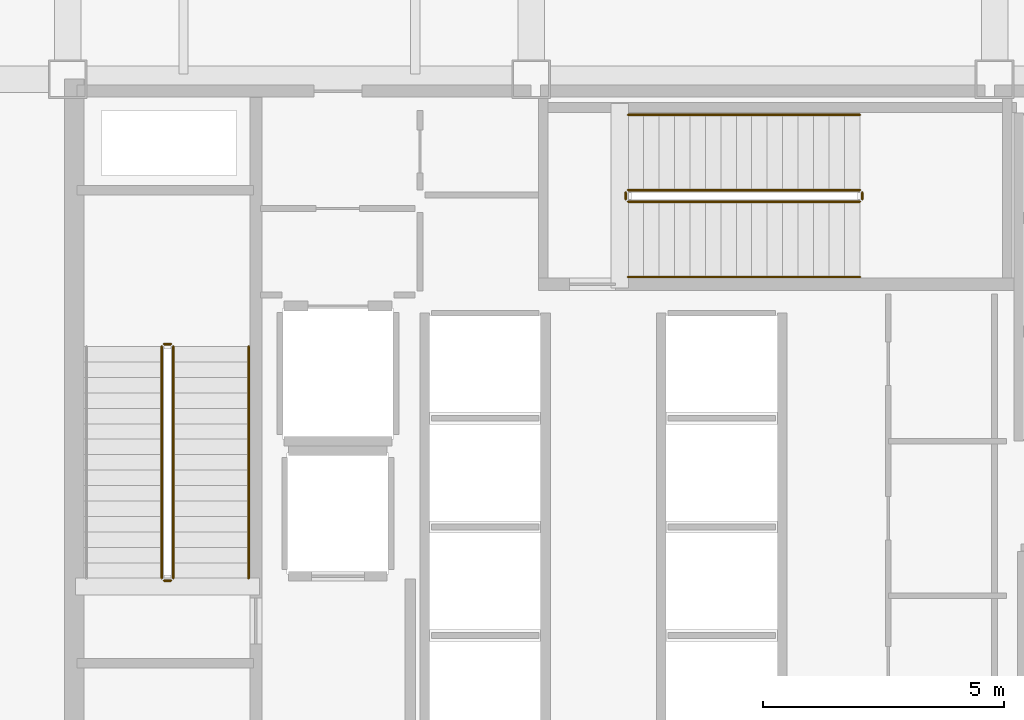
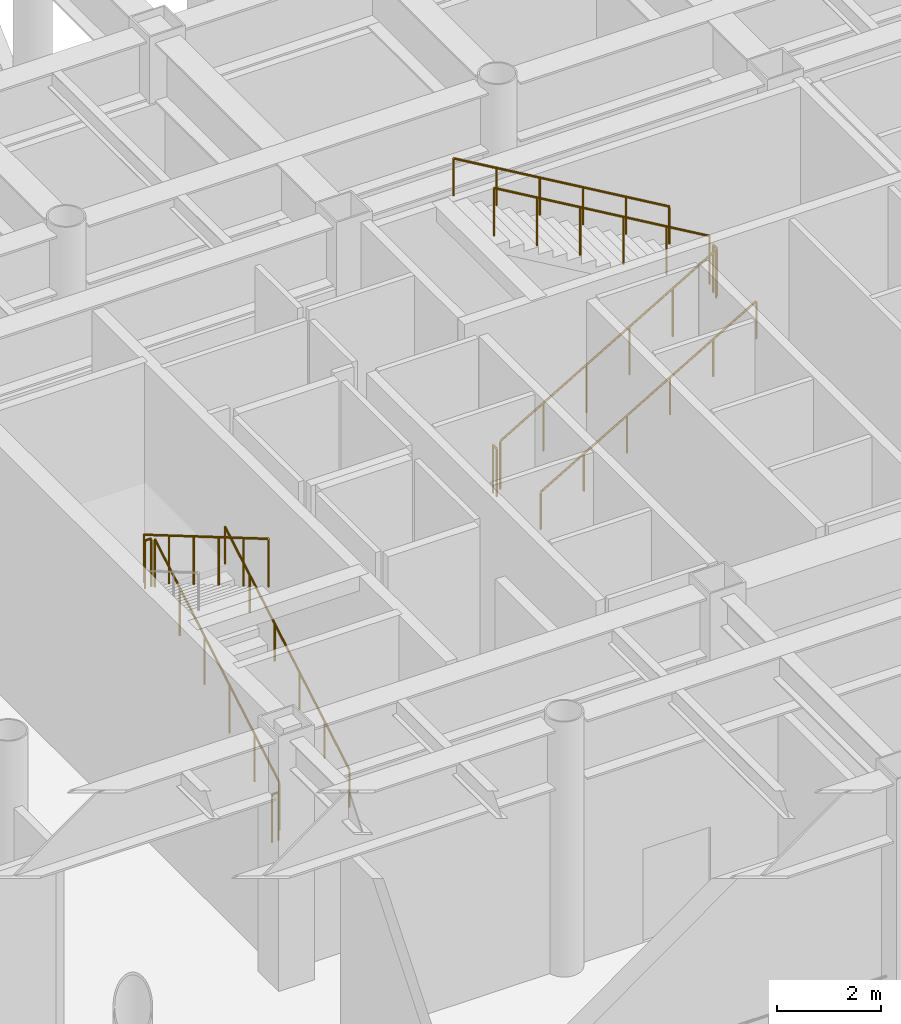
# One storey, part 17 of 19: 11 railings.
"""IFC4 building model written with IfcOpenShell, lengths in metres."""

from ifc_helpers import new_model, si_unit, direction, frame, origin, origin_2d, place, context, subcontext, project, spatial, circle, extrude, material, layer, layer_set, type_object, element, save


model = new_model("IFC4")

# Units and contexts
model_context = context("Model", 3, precision=1e-05, world=origin(), true_north=direction((0.0, 1.0)))
body_context = subcontext(model_context, "Body", "Model", "MODEL_VIEW")
ifc_project = project(units=[si_unit("LENGTHUNIT", "METRE"), si_unit("AREAUNIT", "SQUARE_METRE"), si_unit("VOLUMEUNIT", "CUBIC_METRE"), si_unit("PLANEANGLEUNIT", "RADIAN"), si_unit("MASSUNIT", "GRAM", prefix="KILO")], contexts=[model_context])

# Site, building, storey
site_placement = place(None, origin())
site = spatial("IfcSite", under=ifc_project, at=site_placement, CompositionType="ELEMENT")
building_placement = place(site_placement, origin())
building = spatial("IfcBuilding", under=site, at=building_placement, Name="Kallvorn Hotel Tower", CompositionType="ELEMENT")
storey_placement = place(building_placement, frame((0.0, 0.0, 89.199951171875)))
storey = spatial("IfcBuildingStorey", under=building, at=storey_placement, Name="L21", CompositionType="ELEMENT", Elevation=89.199951171875)

# Railings
ifc_material_1 = material(Name="Brushed stainless-steel tubular railing", Category="steel")
ifc_layer_1 = layer(ifc_material_1, 0.050048828125)
ifc_layer_set_1 = layer_set([ifc_layer_1], Name="RL_STAIR_GUARD")
railing_type_1 = type_object("IfcRailingType", Name="RL_STAIR_GUARD", PredefinedType="GUARDRAIL", material=ifc_layer_set_1)
railing_1_placement = place(storey_placement, frame((-12.2099609375, -3.139892578125, 0.1875)))
element("IfcRailing", 1, at=railing_1_placement, inside=storey, type_object=railing_type_1, Name="L21 ST1 stair guard 1", PredefinedType="GUARDRAIL", context=body_context, shape_type="SweptSolid", body=[
    extrude(circle(Radius=0.02392578125, at=origin_2d()), frame((0.0, 0.0, 1.1259765625), z_axis=(0.0, 0.862790387251, 0.505561813893), x_axis=(-1.0, 0.0, 0.0)), (0.0, 0.0, 1.0), 5.563232421875),
    extrude(circle(Radius=0.02099609375, at=origin_2d()), origin(), (0.0, 0.0, 1.0), 1.101806640625),
    extrude(circle(Radius=0.02099609375, at=origin_2d()), frame((0.0, 0.9599609375, 0.5625)), (0.0, 0.0, 1.0), 1.101806640625),
    extrude(circle(Radius=0.02099609375, at=origin_2d()), frame((0.0, 1.919921875, 1.125)), (0.0, 0.0, 1.0), 1.101806640625),
    extrude(circle(Radius=0.02099609375, at=origin_2d()), frame((0.0, 2.8798828125, 1.6875)), (0.0, 0.0, 1.0), 1.101806640625),
    extrude(circle(Radius=0.02099609375, at=origin_2d()), frame((0.0, 3.83984375, 2.25)), (0.0, 0.0, 1.0), 1.101806640625),
    extrude(circle(Radius=0.02099609375, at=origin_2d()), frame((0.0, 4.7998046875, 2.8125)), (0.0, 0.0, 1.0), 1.101806640625),
])
railing_2_placement = place(storey_placement, frame((-12.260009765625, 1.7099609375, 3.0)))
element("IfcRailing", 2, at=railing_2_placement, inside=storey, type_object=railing_type_1, Name="L21 ST1 stair guard 2", PredefinedType="GUARDRAIL", context=body_context, shape_type="SweptSolid", body=[
    extrude(circle(Radius=0.02392578125, at=origin_2d()), frame((0.0, 0.0, 1.1259765625), z_axis=(-1.0, 0.0, 0.0), x_axis=(0.0, -1.0, 0.0)), (0.0, 0.0, 1.0), 0.139892578125),
    extrude(circle(Radius=0.02099609375, at=origin_2d()), origin(), (0.0, 0.0, 1.0), 1.101806640625),
    extrude(circle(Radius=0.02099609375, at=origin_2d()), frame((-0.139892578125, 0.0, 0.0)), (0.0, 0.0, 1.0), 1.101806640625),
])
railing_3_placement = place(storey_placement, frame((-12.449951171875, 1.659912109375, 3.1875)))
element("IfcRailing", 3, at=railing_3_placement, inside=storey, type_object=railing_type_1, Name="L21 ST1 stair guard 3", PredefinedType="GUARDRAIL", context=body_context, shape_type="SweptSolid", body=[
    extrude(circle(Radius=0.02392578125, at=origin_2d()), frame((0.0, 0.0, 1.1259765625), z_axis=(0.0, -0.862790387251, 0.505561813893), x_axis=(1.0, 0.0, 0.0)), (0.0, 0.0, 1.0), 5.563232421875),
    extrude(circle(Radius=0.02099609375, at=origin_2d()), origin(), (0.0, 0.0, 1.0), 1.101806640625),
    extrude(circle(Radius=0.02099609375, at=origin_2d()), frame((0.0, -0.9599609375, 0.5625)), (0.0, 0.0, 1.0), 1.101806640625),
    extrude(circle(Radius=0.02099609375, at=origin_2d()), frame((0.0, -1.919921875, 1.125)), (0.0, 0.0, 1.0), 1.101806640625),
    extrude(circle(Radius=0.02099609375, at=origin_2d()), frame((0.0, -2.8798828125, 1.6875)), (0.0, 0.0, 1.0), 1.101806640625),
    extrude(circle(Radius=0.02099609375, at=origin_2d()), frame((0.0, -3.83984375, 2.25)), (0.0, 0.0, 1.0), 1.101806640625),
    extrude(circle(Radius=0.02099609375, at=origin_2d()), frame((0.0, -4.7998046875, 2.8125)), (0.0, 0.0, 1.0), 1.101806640625),
])
railing_4_placement = place(storey_placement, frame((-12.260009765625, -3.18994140625, 0.0)))
element("IfcRailing", 4, at=railing_4_placement, inside=storey, type_object=railing_type_1, Name="L21 ST1 stair guard 4", PredefinedType="GUARDRAIL", context=body_context, shape_type="SweptSolid", body=[
    extrude(circle(Radius=0.02392578125, at=origin_2d()), frame((0.0, 0.0, 1.1259765625), z_axis=(-1.0, 0.0, 0.0), x_axis=(0.0, -1.0, 0.0)), (0.0, 0.0, 1.0), 0.139892578125),
    extrude(circle(Radius=0.02099609375, at=origin_2d()), origin(), (0.0, 0.0, 1.0), 1.101806640625),
    extrude(circle(Radius=0.02099609375, at=origin_2d()), frame((-0.139892578125, 0.0, 0.0)), (0.0, 0.0, 1.0), 1.101806640625),
])
railing_5_placement = place(storey_placement, frame((-2.7900390625, 4.659912109375, 0.1875)))
element("IfcRailing", 5, at=railing_5_placement, inside=storey, type_object=railing_type_1, Name="L21 ST3 stair guard 1", PredefinedType="GUARDRAIL", context=body_context, shape_type="SweptSolid", body=[
    extrude(circle(Radius=0.02392578125, at=origin_2d()), frame((0.0, 0.0, 1.1259765625), z_axis=(0.862801603449, 0.0, 0.505542671875), x_axis=(0.0, 1.0, 0.0)), (0.0, 0.0, 1.0), 5.563232421875),
    extrude(circle(Radius=0.02099609375, at=origin_2d()), origin(), (0.0, 0.0, 1.0), 1.101806640625),
    extrude(circle(Radius=0.02099609375, at=origin_2d()), frame((0.9599609375, 0.0, 0.5625)), (0.0, 0.0, 1.0), 1.101806640625),
    extrude(circle(Radius=0.02099609375, at=origin_2d()), frame((1.919921875, 0.0, 1.125)), (0.0, 0.0, 1.0), 1.101806640625),
    extrude(circle(Radius=0.02099609375, at=origin_2d()), frame((2.880126953125, 0.0, 1.6875)), (0.0, 0.0, 1.0), 1.101806640625),
    extrude(circle(Radius=0.02099609375, at=origin_2d()), frame((3.840087890625, 0.0, 2.25)), (0.0, 0.0, 1.0), 1.101806640625),
    extrude(circle(Radius=0.02099609375, at=origin_2d()), frame((4.800048828125, 0.0, 2.8125)), (0.0, 0.0, 1.0), 1.101806640625),
])
railing_6_placement = place(storey_placement, frame((2.06005859375, 4.7099609375, 3.0)))
element("IfcRailing", 6, at=railing_6_placement, inside=storey, type_object=railing_type_1, Name="L21 ST3 stair guard 2", PredefinedType="GUARDRAIL", context=body_context, shape_type="SweptSolid", body=[
    extrude(circle(Radius=0.02392578125, at=origin_2d()), frame((0.0, 0.0, 1.1259765625), z_axis=(0.0, 1.0, 0.0), x_axis=(-1.0, 0.0, 0.0)), (0.0, 0.0, 1.0), 0.14013671875),
    extrude(circle(Radius=0.02099609375, at=origin_2d()), origin(), (0.0, 0.0, 1.0), 1.101806640625),
    extrude(circle(Radius=0.02099609375, at=origin_2d()), frame((0.0, 0.14013671875, 0.0)), (0.0, 0.0, 1.0), 1.101806640625),
])
railing_7_placement = place(storey_placement, frame((2.010009765625, 4.89990234375, 3.1875)))
element("IfcRailing", 7, at=railing_7_placement, inside=storey, type_object=railing_type_1, Name="L21 ST3 stair guard 3", PredefinedType="GUARDRAIL", context=body_context, shape_type="SweptSolid", body=[
    extrude(circle(Radius=0.02392578125, at=origin_2d()), frame((0.0, 0.0, 1.1259765625), z_axis=(-0.862801603449, 0.0, 0.505542671875), x_axis=(0.0, -1.0, 0.0)), (0.0, 0.0, 1.0), 5.563232421875),
    extrude(circle(Radius=0.02099609375, at=origin_2d()), origin(), (0.0, 0.0, 1.0), 1.101806640625),
    extrude(circle(Radius=0.02099609375, at=origin_2d()), frame((-0.9599609375, 0.0, 0.5625)), (0.0, 0.0, 1.0), 1.101806640625),
    extrude(circle(Radius=0.02099609375, at=origin_2d()), frame((-1.919921875, 0.0, 1.125)), (0.0, 0.0, 1.0), 1.101806640625),
    extrude(circle(Radius=0.02099609375, at=origin_2d()), frame((-2.880126953125, 0.0, 1.6875)), (0.0, 0.0, 1.0), 1.101806640625),
    extrude(circle(Radius=0.02099609375, at=origin_2d()), frame((-3.840087890625, 0.0, 2.25)), (0.0, 0.0, 1.0), 1.101806640625),
    extrude(circle(Radius=0.02099609375, at=origin_2d()), frame((-4.800048828125, 0.0, 2.8125)), (0.0, 0.0, 1.0), 1.101806640625),
])
railing_8_placement = place(storey_placement, frame((-2.840087890625, 4.7099609375, 0.0)))
element("IfcRailing", 8, at=railing_8_placement, inside=storey, type_object=railing_type_1, Name="L21 ST3 stair guard 4", PredefinedType="GUARDRAIL", context=body_context, shape_type="SweptSolid", body=[
    extrude(circle(Radius=0.02392578125, at=origin_2d()), frame((0.0, 0.0, 1.1259765625), z_axis=(0.0, 1.0, 0.0), x_axis=(-1.0, 0.0, 0.0)), (0.0, 0.0, 1.0), 0.14013671875),
    extrude(circle(Radius=0.02099609375, at=origin_2d()), origin(), (0.0, 0.0, 1.0), 1.101806640625),
    extrude(circle(Radius=0.02099609375, at=origin_2d()), frame((0.0, 0.14013671875, 0.0)), (0.0, 0.0, 1.0), 1.101806640625),
])
ifc_material_2 = material(Name="Brushed stainless-steel tubular railing", Category="steel")
ifc_layer_2 = layer(ifc_material_2, 0.050048828125)
ifc_layer_set_2 = layer_set([ifc_layer_2], Name="RL_STAIR_HAND")
railing_type_2 = type_object("IfcRailingType", Name="RL_STAIR_HAND", PredefinedType="HANDRAIL", material=ifc_layer_set_2)
railing_9_placement = place(storey_placement, frame((-10.64990234375, -3.139892578125, 0.1875)))
element("IfcRailing", 9, at=railing_9_placement, inside=storey, type_object=railing_type_2, Name="L21 ST1 stair handrail 1", PredefinedType="HANDRAIL", context=body_context, shape_type="SweptSolid", body=[
    extrude(circle(Radius=0.02392578125, at=origin_2d()), frame((0.0, 0.0, 0.8759765625), z_axis=(0.0, 0.862790387251, 0.505561813893), x_axis=(-1.0, 0.0, 0.0)), (0.0, 0.0, 1.0), 5.563232421875),
    extrude(circle(Radius=0.02099609375, at=origin_2d()), origin(), (0.0, 0.0, 1.0), 0.851806640625),
    extrude(circle(Radius=0.02099609375, at=origin_2d()), frame((0.0, 0.9599609375, 0.5625)), (0.0, 0.0, 1.0), 0.851806640625),
    extrude(circle(Radius=0.02099609375, at=origin_2d()), frame((0.0, 1.919921875, 1.125)), (0.0, 0.0, 1.0), 0.851806640625),
    extrude(circle(Radius=0.02099609375, at=origin_2d()), frame((0.0, 2.8798828125, 1.6875)), (0.0, 0.0, 1.0), 0.851806640625),
    extrude(circle(Radius=0.02099609375, at=origin_2d()), frame((0.0, 3.83984375, 2.25)), (0.0, 0.0, 1.0), 0.851806640625),
    extrude(circle(Radius=0.02099609375, at=origin_2d()), frame((0.0, 4.7998046875, 2.8125)), (0.0, 0.0, 1.0), 0.851806640625),
])
railing_10_placement = place(storey_placement, frame((-2.7900390625, 3.10009765625, 0.1875)))
element("IfcRailing", 10, at=railing_10_placement, inside=storey, type_object=railing_type_2, Name="L21 ST3 stair handrail 1", PredefinedType="HANDRAIL", context=body_context, shape_type="SweptSolid", body=[
    extrude(circle(Radius=0.02392578125, at=origin_2d()), frame((0.0, 0.0, 0.8759765625), z_axis=(0.862801603449, 0.0, 0.505542671875), x_axis=(0.0, 1.0, 0.0)), (0.0, 0.0, 1.0), 5.563232421875),
    extrude(circle(Radius=0.02099609375, at=origin_2d()), origin(), (0.0, 0.0, 1.0), 0.851806640625),
    extrude(circle(Radius=0.02099609375, at=origin_2d()), frame((0.9599609375, 0.0, 0.5625)), (0.0, 0.0, 1.0), 0.851806640625),
    extrude(circle(Radius=0.02099609375, at=origin_2d()), frame((1.919921875, 0.0, 1.125)), (0.0, 0.0, 1.0), 0.851806640625),
    extrude(circle(Radius=0.02099609375, at=origin_2d()), frame((2.880126953125, 0.0, 1.6875)), (0.0, 0.0, 1.0), 0.851806640625),
    extrude(circle(Radius=0.02099609375, at=origin_2d()), frame((3.840087890625, 0.0, 2.25)), (0.0, 0.0, 1.0), 0.851806640625),
    extrude(circle(Radius=0.02099609375, at=origin_2d()), frame((4.800048828125, 0.0, 2.8125)), (0.0, 0.0, 1.0), 0.851806640625),
])
railing_11_placement = place(storey_placement, frame((2.010009765625, 6.4599609375, 3.1875)))
element("IfcRailing", 11, at=railing_11_placement, inside=storey, type_object=railing_type_2, Name="L21 ST3 stair handrail 2", PredefinedType="HANDRAIL", context=body_context, shape_type="SweptSolid", body=[
    extrude(circle(Radius=0.02392578125, at=origin_2d()), frame((0.0, 0.0, 0.8759765625), z_axis=(-0.862801603449, 0.0, 0.505542671875), x_axis=(0.0, -1.0, 0.0)), (0.0, 0.0, 1.0), 5.563232421875),
    extrude(circle(Radius=0.02099609375, at=origin_2d()), origin(), (0.0, 0.0, 1.0), 0.851806640625),
    extrude(circle(Radius=0.02099609375, at=origin_2d()), frame((-0.9599609375, 0.0, 0.5625)), (0.0, 0.0, 1.0), 0.851806640625),
    extrude(circle(Radius=0.02099609375, at=origin_2d()), frame((-1.919921875, 0.0, 1.125)), (0.0, 0.0, 1.0), 0.851806640625),
    extrude(circle(Radius=0.02099609375, at=origin_2d()), frame((-2.880126953125, 0.0, 1.6875)), (0.0, 0.0, 1.0), 0.851806640625),
    extrude(circle(Radius=0.02099609375, at=origin_2d()), frame((-3.840087890625, 0.0, 2.25)), (0.0, 0.0, 1.0), 0.851806640625),
    extrude(circle(Radius=0.02099609375, at=origin_2d()), frame((-4.800048828125, 0.0, 2.8125)), (0.0, 0.0, 1.0), 0.851806640625),
])

save(model, "model.ifc")
